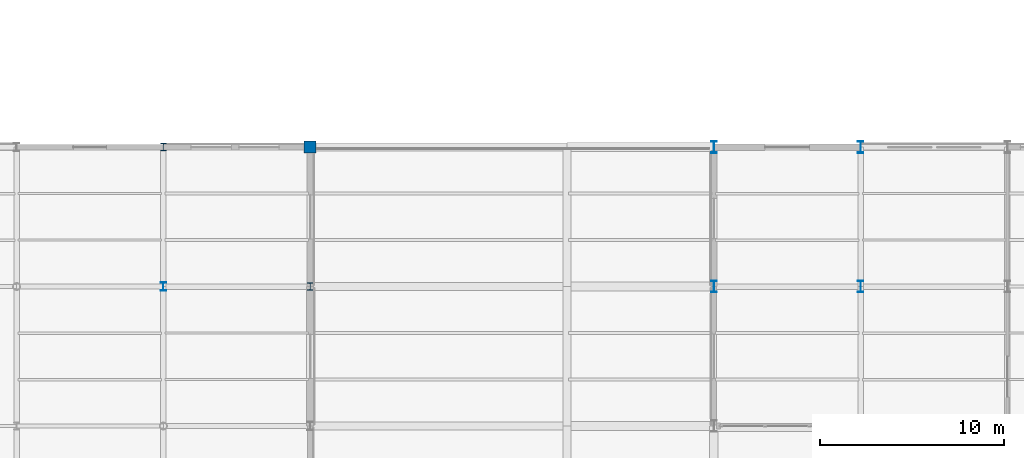
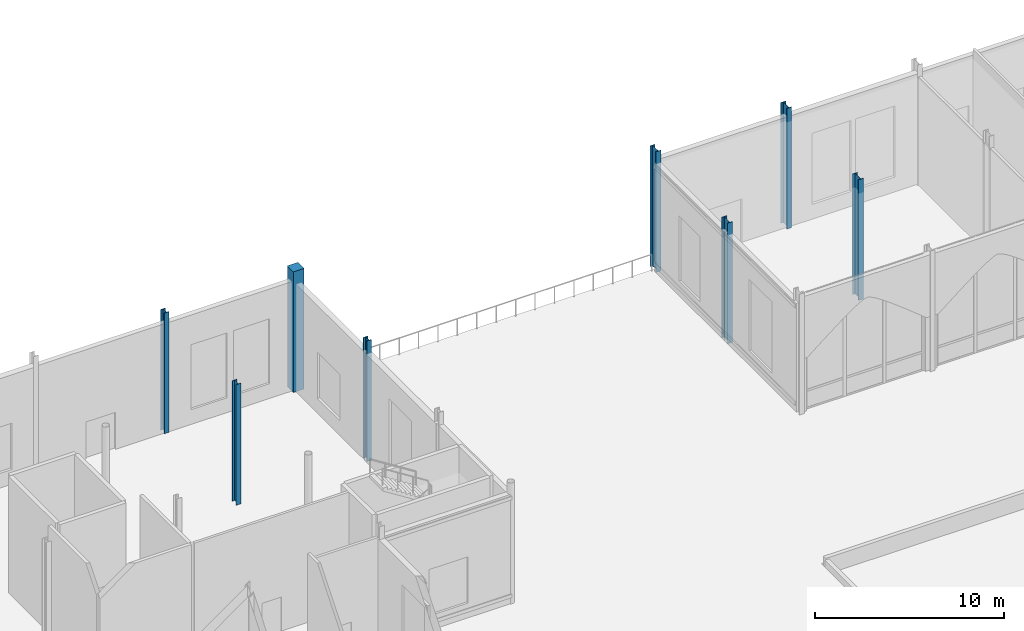
# One storey, part 24 of 176: 8 columns.
"""IFC4 building model written with IfcOpenShell, lengths in metres."""

import ifcopenshell
import ifcopenshell.guid

model = None  # the IFC model being written
_history = None  # IfcOwnerHistory: only IFC2X3 demands one
_inside = {}  # id of a spatial element -> (the spatial element, [elements in it])
_under = {}  # id of a project, library or spatial element -> (it, [spatial elements below it])
_declared = {}  # id of a project -> (the project, [libraries it declares])
_typed = {}  # id of a type object -> (the type object, [elements of that type])
_made_of = {}  # id of a material, layer set ... -> (it, [elements and type objects made of it])


def new_model(schema):
    """Start an empty IFC model of exactly this schema.

    Asked for "IFC4X3", IfcOpenShell would pick the latest addendum, in which some entities
    have other attributes; the version numbers below select the first issue.
    IFC2X3 requires an IfcOwnerHistory on every rooted entity: one is made here for all.
    """
    global model, _history
    if schema == "IFC4X3":
        model = ifcopenshell.file(schema_version=(4, 3, 0, 0))
    else:
        model = ifcopenshell.file(schema=schema)
    _inside.clear()
    _under.clear()
    _declared.clear()
    _typed.clear()
    _made_of.clear()
    _history = None
    if model.schema == "IFC2X3":
        org = make("IfcOrganization", Name="unknown")
        user = make(
            "IfcPersonAndOrganization",
            ThePerson=make("IfcPerson", FamilyName="unknown"),
            TheOrganization=org,
        )
        app = make(
            "IfcApplication",
            ApplicationDeveloper=org,
            Version="unknown",
            ApplicationFullName="unknown",
            ApplicationIdentifier="unknown",
        )
        _history = make(
            "IfcOwnerHistory",
            OwningUser=user,
            OwningApplication=app,
            ChangeAction="ADDED",
            CreationDate=0,
        )
    return model


def make(cls, **values):
    """One entity of the class cls with the attributes given. An attribute that is None is left unset."""
    return model.create_entity(
        cls, **{name: value for name, value in values.items() if value is not None}
    )


def rooted(cls, **values):
    """An entity with a GlobalId (a new one), such as an element, a storey or a relation."""
    return make(cls, GlobalId=ifcopenshell.guid.new(), OwnerHistory=_history, **values)


def si_unit(unit_type, name, prefix=None):
    """IfcSIUnit, for example si_unit("LENGTHUNIT", "METRE", prefix="MILLI")."""
    return make("IfcSIUnit", UnitType=unit_type, Prefix=prefix, Name=name)


def assignment(units):
    """IfcUnitAssignment: the units of a project."""
    return None if units is None else make("IfcUnitAssignment", Units=units)


def point(xyz):
    """IfcCartesianPoint."""
    return None if xyz is None else make("IfcCartesianPoint", Coordinates=xyz)


def direction(xyz):
    """IfcDirection."""
    return None if xyz is None else make("IfcDirection", DirectionRatios=xyz)


def frame(location, z_axis=None, x_axis=None):
    """IfcAxis2Placement3D, a coordinate frame: its origin and axes. An axis left out is left unset."""
    return make(
        "IfcAxis2Placement3D",
        Location=point(location),
        Axis=direction(z_axis),
        RefDirection=direction(x_axis),
    )


def frame_2d(location, x_axis=None):
    """IfcAxis2Placement2D, a coordinate frame in the plane: its origin and x axis."""
    return make(
        "IfcAxis2Placement2D", Location=point(location), RefDirection=direction(x_axis)
    )


def origin():
    """The frame at (0, 0, 0) with its axes left unset."""
    return frame((0.0, 0.0, 0.0))


def origin_2d():
    """The frame at (0, 0) in the plane with its x axis left unset."""
    return frame_2d((0.0, 0.0))


def place(relative_to, where):
    """IfcLocalPlacement: puts the frame where relative to a parent placement (None: the world)."""
    return make(
        "IfcLocalPlacement", PlacementRelTo=relative_to, RelativePlacement=where
    )


def context(
    kind, dimensions, precision=None, world=None, true_north=None, identifier=None
):
    """IfcGeometricRepresentationContext, for example the 3D "Model" context."""
    return make(
        "IfcGeometricRepresentationContext",
        ContextIdentifier=identifier,
        ContextType=kind,
        CoordinateSpaceDimension=dimensions,
        Precision=precision,
        WorldCoordinateSystem=world,
        TrueNorth=true_north,
    )


def subcontext(parent, identifier, kind, view, scale=None):
    """IfcGeometricRepresentationSubContext, for example "Body" below "Model"."""
    return make(
        "IfcGeometricRepresentationSubContext",
        ContextIdentifier=identifier,
        ContextType=kind,
        ParentContext=parent,
        TargetScale=scale,
        TargetView=view,
    )


def project(units=None, contexts=None):
    """IfcProject with its units and contexts."""
    return rooted(
        "IfcProject",
        Name="project",
        RepresentationContexts=contexts,
        UnitsInContext=assignment(units),
    )


def spatial(cls, under=None, at=None, **own):
    """A site, building, storey or space (cls), placed at a placement, below another one or the project."""
    s = rooted(cls, ObjectPlacement=at, **own)
    if under is not None:
        _under.setdefault(under.id(), (under, []))[1].append(s)
    return s


def profile(cls, at=None, kind="AREA", **sizes):
    """A parametric profile (cls). Its sizes go by their IFC names, for example OverallWidth=200.0."""
    return make(cls, ProfileType=kind, Position=at, **sizes)


def rectangle(**sizes):
    """IfcRectangleProfileDef."""
    return profile("IfcRectangleProfileDef", **sizes)


def i_section(**sizes):
    """IfcIShapeProfileDef."""
    return profile("IfcIShapeProfileDef", **sizes)


def extrude(swept, where, along, depth):
    """IfcExtrudedAreaSolid: the profile swept, set in the frame where, extruded along a direction by depth."""
    return make(
        "IfcExtrudedAreaSolid",
        SweptArea=swept,
        Position=where,
        ExtrudedDirection=direction(along),
        Depth=depth,
    )


def shape(context_of_items, identifier, shape_type, items):
    """IfcShapeRepresentation: the items that make up one representation, for example the "Body"."""
    return make(
        "IfcShapeRepresentation",
        ContextOfItems=context_of_items,
        RepresentationIdentifier=identifier,
        RepresentationType=shape_type,
        Items=items,
    )


def material(Name=None, Category=None):
    """IfcMaterial."""
    return make("IfcMaterial", Name=Name, Category=Category)


def material_profile(
    of_material, cross_section, Name=None, Category=None, Priority=None
):
    """IfcMaterialProfile: a cross section and its material."""
    return make(
        "IfcMaterialProfile",
        Name=Name,
        Material=of_material,
        Profile=cross_section,
        Priority=Priority,
        Category=Category,
    )


def profile_set(profiles, Name=None, composite=None):
    """IfcMaterialProfileSet."""
    return make(
        "IfcMaterialProfileSet",
        Name=Name,
        MaterialProfiles=profiles,
        CompositeProfile=composite,
    )


def made_of(thing, what):
    """Note that an element or type object is made of a material, layer set ...; save() writes the relation."""
    if what is not None:
        _made_of.setdefault(what.id(), (what, []))[1].append(thing)
    return thing


def type_object(cls, material=None, **own):
    """A type object (cls), such as IfcWallType, which elements share."""
    return made_of(rooted(cls, **own), material)


def element(
    cls,
    number,
    at=None,
    inside=None,
    cuts=None,
    type_object=None,
    material=None,
    context=None,
    identifier="Body",
    shape_type=None,
    held_by="IfcProductDefinitionShape",
    body=None,
    shapes=None,
    **own,
):
    """One element of the class cls, such as IfcWall. Its Tag is "e" and its number.

    at: its placement. inside: the storey or other place that contains it. cuts: it is an
    opening in that element (IfcRelVoidsElement). A single representation is given by context,
    identifier, shape_type and body (its items); several are given by shapes. held_by: the class
    of the entity that holds the representations. save() writes the other relations.
    """
    e = rooted(cls, Tag="e%d" % number, ObjectPlacement=at, **own)
    if body is not None:
        shapes = [shape(context, identifier, shape_type, body)]
    if shapes is not None:
        e.Representation = make(held_by, Representations=shapes)
    if inside is not None:
        _inside.setdefault(inside.id(), (inside, []))[1].append(e)
    if cuts is not None:
        rooted(
            "IfcRelVoidsElement", RelatingBuildingElement=cuts, RelatedOpeningElement=e
        )
    if type_object is not None:
        _typed.setdefault(type_object.id(), (type_object, []))[1].append(e)
    return made_of(e, material)


def aggregate(whole, parts):
    """IfcRelAggregates: a whole, such as a stair, and the parts it consists of."""
    return rooted("IfcRelAggregates", RelatingObject=whole, RelatedObjects=parts)


def save(model, path):
    """Write the relations noted so far, then the file.

    IfcRelAggregates (storeys below a building ...), IfcRelContainedInSpatialStructure (elements
    in a storey), IfcRelDefinesByType, IfcRelAssociatesMaterial and IfcRelDeclares: one each for
    every whole, place, type object, material and project.
    """
    for whole, parts in _under.values():
        aggregate(whole, parts)
    for where, things in _inside.values():
        rooted(
            "IfcRelContainedInSpatialStructure",
            RelatedElements=things,
            RelatingStructure=where,
        )
    for kind, things in _typed.values():
        rooted("IfcRelDefinesByType", RelatedObjects=things, RelatingType=kind)
    for what, things in _made_of.values():
        rooted("IfcRelAssociatesMaterial", RelatedObjects=things, RelatingMaterial=what)
    for by, libraries in _declared.values():
        rooted("IfcRelDeclares", RelatingContext=by, RelatedDefinitions=libraries)
    model.write(path)


model = new_model("IFC4")

# Units and contexts
model_context = context("Model", 3, precision=1e-05, world=origin(), true_north=direction((0.0, 1.0)))
body_context = subcontext(model_context, "Body", "Model", "MODEL_VIEW")
ifc_project = project(units=[si_unit("LENGTHUNIT", "METRE"), si_unit("AREAUNIT", "SQUARE_METRE"), si_unit("VOLUMEUNIT", "CUBIC_METRE"), si_unit("PLANEANGLEUNIT", "RADIAN"), si_unit("MASSUNIT", "GRAM", prefix="KILO")], contexts=[model_context])

# Site, building, storey
site_placement = place(None, origin())
site = spatial("IfcSite", under=ifc_project, at=site_placement, CompositionType="ELEMENT")
building_placement = place(site_placement, origin())
building = spatial("IfcBuilding", under=site, at=building_placement, Name="Vekula Escarpment Museum", CompositionType="ELEMENT")
storey_placement = place(building_placement, origin())
storey = spatial("IfcBuildingStorey", under=building, at=storey_placement, Name="L01", CompositionType="ELEMENT", Elevation=0.0)

# Columns
ifc_material_1 = material(Name="Steel S355", Category="steel")
ifc_material_profile_1 = material_profile(ifc_material_1, i_section(OverallWidth=0.300048828125, OverallDepth=0.389892578125, WebThickness=0.010986328125, FlangeThickness=0.01904296875, FilletRadius=0.027099609375, at=origin_2d()), Name="HEA 400")
ifc_profile_set_1 = profile_set([ifc_material_profile_1], Name="Steel S355")
column_type_1 = type_object("IfcColumnType", Name="COL-S-HEA400", PredefinedType="COLUMN", material=ifc_profile_set_1)
for number, where, z_axis, x_axis, name in (
    (1, (48.0, 136.0, 0.0), (0.0, 0.0, 1.0), (1.0, 0.0, 0.0), "Column L01 (48.0,136.0)"),
    (2, (56.0, 128.39990234375, 0.0), (0.0, 0.0, 1.0), (1.0, 0.0, 0.0), "Column L01 (56.0,128.4)"),
):
    element("IfcColumn", number, at=place(storey_placement, frame(where, z_axis=z_axis, x_axis=x_axis)), inside=storey, type_object=column_type_1, Name=name, PredefinedType="COLUMN", context=body_context, shape_type="SweptSolid", body=[
        extrude(i_section(OverallWidth=0.300048828125, OverallDepth=0.389892578125, WebThickness=0.010986328125, FlangeThickness=0.01904296875, FilletRadius=0.027099609375, at=origin_2d()), origin(), (0.0, 0.0, 1.0), 7.800048828125),
    ])
ifc_material_2 = material(Name="Steel S355", Category="steel")
ifc_material_profile_2 = material_profile(ifc_material_2, i_section(OverallWidth=0.300048828125, OverallDepth=0.43994140625, WebThickness=0.011474609375, FlangeThickness=0.02099609375, FilletRadius=0.027099609375, at=origin_2d()), Name="HEA 450")
ifc_profile_set_2 = profile_set([ifc_material_profile_2], Name="Steel S355")
column_type_2 = type_object("IfcColumnType", Name="COL-S-HEA450", PredefinedType="COLUMN", material=ifc_profile_set_2)
column_1_placement = place(storey_placement, frame((48.0, 128.39990234375, 0.0), z_axis=(0.0, 0.0, 1.0), x_axis=(1.0, 0.0, 0.0)))
element("IfcColumn", 3, at=column_1_placement, inside=storey, type_object=column_type_2, Name="Column L01 (48.0,128.4)", PredefinedType="COLUMN", context=body_context, shape_type="SweptSolid", body=[
    extrude(i_section(OverallWidth=0.300048828125, OverallDepth=0.43994140625, WebThickness=0.011474609375, FlangeThickness=0.02099609375, FilletRadius=0.027099609375, at=origin_2d()), origin(), (0.0, 0.0, 1.0), 7.800048828125),
])
ifc_material_3 = material(Name="Steel S355", Category="steel")
ifc_material_profile_3 = material_profile(ifc_material_3, i_section(OverallWidth=0.300048828125, OverallDepth=0.64990234375, WebThickness=0.01611328125, FlangeThickness=0.031005859375, FilletRadius=0.027099609375, at=origin_2d()), Name="HEB 650")
ifc_profile_set_3 = profile_set([ifc_material_profile_3], Name="Steel S355")
column_type_3 = type_object("IfcColumnType", Name="COL-S-HEB650", PredefinedType="COLUMN", material=ifc_profile_set_3)
for number, where, z_axis, x_axis, name in (
    (4, (78.0, 128.39990234375, 0.0), (0.0, 0.0, 1.0), (1.0, 0.0, 0.0), "Column L01 (78.0,128.4)"),
    (5, (78.0, 136.0, 0.0), (0.0, 0.0, 1.0), (1.0, 0.0, 0.0), "Column L01 (78.0,136.0)"),
    (6, (86.0, 128.39990234375, 0.0), (0.0, 0.0, 1.0), (1.0, 0.0, 0.0), "Column L01 (86.0,128.4)"),
    (7, (86.0, 136.0, 0.0), (0.0, 0.0, 1.0), (1.0, 0.0, 0.0), "Column L01 (86.0,136.0)"),
):
    element("IfcColumn", number, at=place(storey_placement, frame(where, z_axis=z_axis, x_axis=x_axis)), inside=storey, type_object=column_type_3, Name=name, PredefinedType="COLUMN", context=body_context, shape_type="SweptSolid", body=[
        extrude(i_section(OverallWidth=0.300048828125, OverallDepth=0.64990234375, WebThickness=0.01611328125, FlangeThickness=0.031005859375, FilletRadius=0.027099609375, at=origin_2d()), origin(), (0.0, 0.0, 1.0), 7.800048828125),
    ])
ifc_material_4 = material(Name="Inkisi arkosic sandstone masonry", Category="masonry")
ifc_material_profile_4 = material_profile(ifc_material_4, rectangle(XDim=0.64990234375, YDim=0.64990234375, at=origin_2d()), Name="PIER 650x650")
ifc_profile_set_4 = profile_set([ifc_material_profile_4], Name="Inkisi arkosic sandstone masonry")
column_type_4 = type_object("IfcColumnType", Name="PIL-ALM-650", PredefinedType="PILASTER", material=ifc_profile_set_4)
column_2_placement = place(storey_placement, frame((56.0, 136.0, 0.0), z_axis=(0.0, 0.0, 1.0), x_axis=(1.0, 0.0, 0.0)))
element("IfcColumn", 8, at=column_2_placement, inside=storey, type_object=column_type_4, Name="Column L01 (56.0,136.0)", PredefinedType="PILASTER", context=body_context, shape_type="SweptSolid", body=[
    extrude(rectangle(XDim=0.64990234375, YDim=0.64990234375, at=origin_2d()), origin(), (0.0, 0.0, 1.0), 7.800048828125),
])

save(model, "model.ifc")
